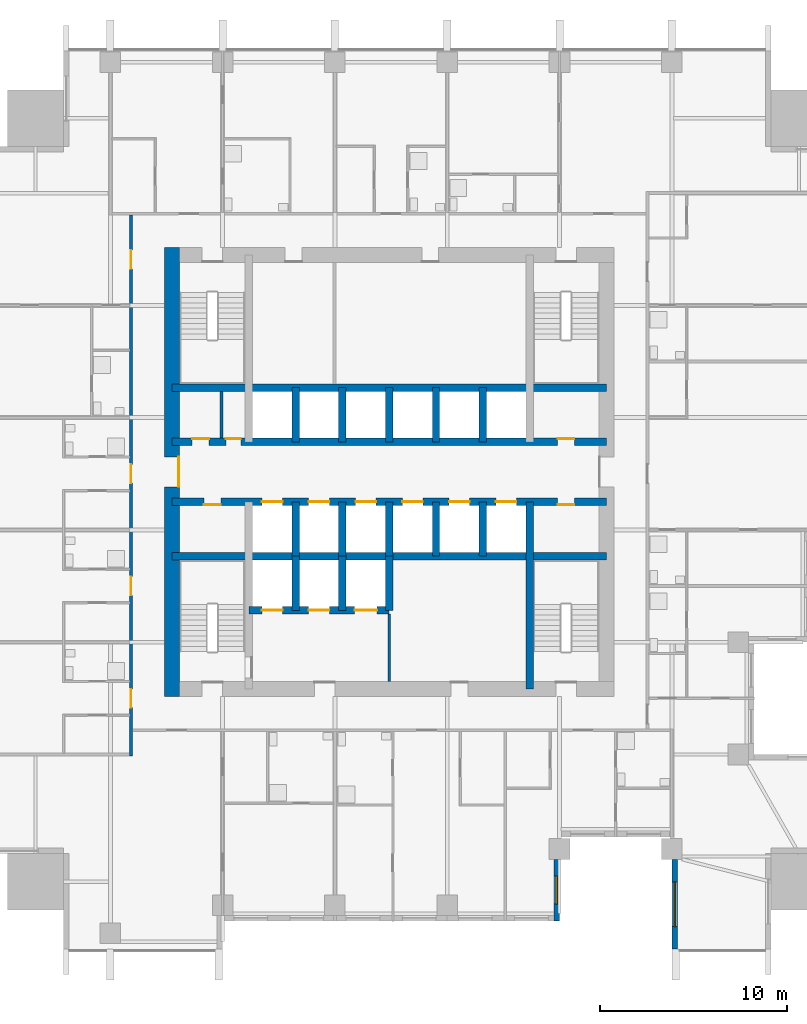
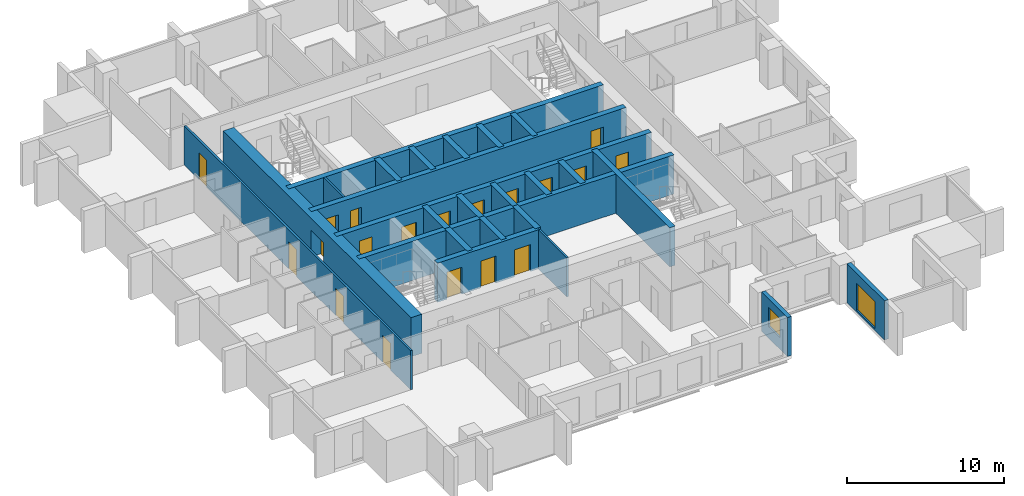
# One storey, part 5 of 10: 25 walls, 19 doors, 2 windows, 21 openings.
"""IFC4 building model written with IfcOpenShell, lengths in metres."""

from ifc_helpers import new_model, si_unit, direction, frame, frame_2d, origin, place, context, subcontext, project, spatial, rectangle, extrude, material, layer, layer_set, type_object, element, fill, save


model = new_model("IFC4")

# Units and contexts
model_context = context("Model", 3, precision=1e-05, world=origin(), true_north=direction((0.0, 1.0)))
body_context = subcontext(model_context, "Body", "Model", "MODEL_VIEW")
ifc_project = project(units=[si_unit("LENGTHUNIT", "METRE"), si_unit("AREAUNIT", "SQUARE_METRE"), si_unit("VOLUMEUNIT", "CUBIC_METRE"), si_unit("PLANEANGLEUNIT", "RADIAN"), si_unit("MASSUNIT", "GRAM", prefix="KILO")], contexts=[model_context])

# Site, building, storey
site_placement = place(None, origin())
site = spatial("IfcSite", under=ifc_project, at=site_placement, CompositionType="ELEMENT")
building_placement = place(site_placement, origin())
building = spatial("IfcBuilding", under=site, at=building_placement, Name="Amberfall Residences", CompositionType="ELEMENT")
storey_placement = place(building_placement, frame((0.0, 0.0, 101.800048828125)))
storey = spatial("IfcBuildingStorey", under=building, at=storey_placement, Name="L27", CompositionType="ELEMENT", Elevation=101.800048828125)

# Wall, opening, window
ifc_material_1 = material(Name="Pale stone cladding on insulated backing", Category="masonry")
ifc_layer_1 = layer(ifc_material_1, 0.300048828125)
ifc_layer_set_1 = layer_set([ifc_layer_1], Name="Bronze clad wall 300")
wall_type_1 = type_object("IfcWallType", Name="Bronze clad wall 300", PredefinedType="SOLIDWALL", material=ifc_layer_set_1)
wall_1_placement = place(storey_placement, frame((83.449951171875, 21.5, 0.0), z_axis=(0.0, 0.0, 1.0), x_axis=(0.0, 1.0, 0.0)))
wall_1 = element("IfcWall", 1, at=wall_1_placement, inside=storey, type_object=wall_type_1, Name="External wall L27 S", PredefinedType="SOLIDWALL", context=body_context, shape_type="SweptSolid", body=[
    extrude(rectangle(XDim=3.300048828125, YDim=0.300048828125, at=frame_2d((1.64990234375, 0.0))), origin(), (0.0, 0.0, 1.0), 3.050048828125),
])
opening_1_placement = place(wall_1_placement, frame((0.89990234375, 0.0, 0.89990234375)))
opening_1 = element("IfcOpeningElement", 2, at=opening_1_placement, cuts=wall_1, Name="Opening WN1", PredefinedType="OPENING", context=body_context, shape_type="SweptSolid", body=[
    extrude(rectangle(XDim=1.5, YDim=1.5, at=frame_2d((0.75, 0.75))), frame((0.0, 0.159912109375, 0.0), z_axis=(0.0, -1.0, 0.0), x_axis=(1.0, 0.0, 0.0)), (0.0, 0.0, 1.0), 0.320068359375),
])
ifc_material_2 = material(Name="Bronze aluminium framed glazing", Category="aluminium")
window_type_1 = type_object("IfcWindowType", Name="Window 1500 x 1500 bronze", PartitioningType="DOUBLE_PANEL_VERTICAL", PredefinedType="WINDOW", material=ifc_material_2)
window_1_placement = place(opening_1_placement, origin())
window_1 = element("IfcWindow", 3, at=window_1_placement, inside=storey, type_object=window_type_1, Name="Window L27 S", OverallHeight=1.5, OverallWidth=1.5, PartitioningType="DOUBLE_PANEL_VERTICAL", PredefinedType="WINDOW", context=body_context, shape_type="SweptSolid", body=[
    extrude(rectangle(XDim=1.5, YDim=1.5, at=frame_2d((0.75, 0.75))), frame((0.0, 0.030029296875, 0.0), z_axis=(0.0, -1.0, 0.0), x_axis=(1.0, 0.0, 0.0)), (0.0, 0.0, 1.0), 0.06005859375),
])
fill(opening_1, window_1)

wall_2_placement = place(storey_placement, frame((89.75, 24.800048828125, 0.0), z_axis=(0.0, 0.0, 1.0), x_axis=(0.0, -1.0, 0.0)))
wall_2 = element("IfcWall", 4, at=wall_2_placement, inside=storey, type_object=wall_type_1, Name="External wall L27 S", PredefinedType="SOLIDWALL", context=body_context, shape_type="SweptSolid", body=[
    extrude(rectangle(XDim=4.800048828125, YDim=0.300048828125, at=frame_2d((2.39990234375, 0.0))), origin(), (0.0, 0.0, 1.0), 3.050048828125),
])
opening_2_placement = place(wall_2_placement, frame((1.199951171875, 0.0, 0.14990234375)))
opening_2 = element("IfcOpeningElement", 5, at=opening_2_placement, cuts=wall_2, Name="Opening WN5", PredefinedType="OPENING", context=body_context, shape_type="SweptSolid", body=[
    extrude(rectangle(XDim=2.39990234375, YDim=2.10009765625, at=frame_2d((1.199951171875, 1.050048828125))), frame((0.0, 0.159912109375, 0.0), z_axis=(0.0, -1.0, 0.0), x_axis=(1.0, 0.0, 0.0)), (0.0, 0.0, 1.0), 0.320068359375),
])
window_type_2 = type_object("IfcWindowType", Name="Glazed opening 2400 x 2100 bronze", PartitioningType="DOUBLE_PANEL_VERTICAL", PredefinedType="WINDOW", material=ifc_material_2)
window_2_placement = place(opening_2_placement, origin())
window_2 = element("IfcWindow", 6, at=window_2_placement, inside=storey, type_object=window_type_2, Name="Window L27 S", OverallHeight=2.10009765625, OverallWidth=2.39990234375, PartitioningType="DOUBLE_PANEL_VERTICAL", PredefinedType="WINDOW", context=body_context, shape_type="SweptSolid", body=[
    extrude(rectangle(XDim=2.39990234375, YDim=2.10009765625, at=frame_2d((1.199951171875, 1.050048828125))), frame((0.0, 0.030029296875, 0.0), z_axis=(0.0, -1.0, 0.0), x_axis=(1.0, 0.0, 0.0)), (0.0, 0.0, 1.0), 0.06005859375),
])
fill(opening_2, window_2)

# Wall
ifc_material_3 = material(Name="Concrete C70", Category="concrete")
ifc_layer_2 = layer(ifc_material_3, 0.39990234375)
ifc_layer_set_2 = layer_set([ifc_layer_2], Name="Core wall 400 C70")
wall_type_2 = type_object("IfcWallType", Name="Core wall 400 C70", PredefinedType="SHEAR", material=ifc_layer_set_2)
wall_3_placement = place(storey_placement, frame((62.89990234375, 41.0, 0.0), z_axis=(0.0, 0.0, 1.0), x_axis=(1.0, 0.0, 0.0)))
element("IfcWall", 7, at=wall_3_placement, inside=storey, type_object=wall_type_2, Name="Core wall RW4 L27 H75", PredefinedType="SHEAR", context=body_context, shape_type="SweptSolid", body=[
    extrude(rectangle(XDim=23.2001953125, YDim=0.39990234375, at=frame_2d((11.60009765625, 0.0))), origin(), (0.0, 0.0, 1.0), 3.050048828125),
])

# Wall, openings, doors
wall_4_placement = place(storey_placement, frame((62.89990234375, 43.89990234375, 0.0), z_axis=(0.0, 0.0, 1.0), x_axis=(1.0, 0.0, 0.0)))
wall_4 = element("IfcWall", 8, at=wall_4_placement, inside=storey, type_object=wall_type_2, Name="Core wall RW4 L27 H104", PredefinedType="SHEAR", context=body_context, shape_type="SweptSolid", body=[
    extrude(rectangle(XDim=23.2001953125, YDim=0.39990234375, at=frame_2d((11.60009765625, 0.0))), origin(), (0.0, 0.0, 1.0), 3.050048828125),
])
opening_3_placement = place(wall_4_placement, frame((1.699951171875, 0.0, 0.0)))
opening_3 = element("IfcOpeningElement", 9, at=opening_3_placement, cuts=wall_4, Name="Opening RD1", PredefinedType="OPENING", context=body_context, shape_type="SweptSolid", body=[
    extrude(rectangle(XDim=0.89990234375, YDim=2.10009765625, at=frame_2d((0.449951171875, 1.050048828125))), frame((0.0, 0.2099609375, 0.0), z_axis=(0.0, -1.0, 0.0), x_axis=(1.0, 0.0, 0.0)), (0.0, 0.0, 1.0), 0.419921875),
])
opening_4_placement = place(wall_4_placement, frame((20.60009765625, 0.0, 0.0)))
opening_4 = element("IfcOpeningElement", 10, at=opening_4_placement, cuts=wall_4, Name="Opening RD1", PredefinedType="OPENING", context=body_context, shape_type="SweptSolid", body=[
    extrude(rectangle(XDim=0.89990234375, YDim=2.10009765625, at=frame_2d((0.449951171875, 1.050048828125))), frame((0.0, 0.2099609375, 0.0), z_axis=(0.0, -1.0, 0.0), x_axis=(1.0, 0.0, 0.0)), (0.0, 0.0, 1.0), 0.419921875),
])
opening_5_placement = place(wall_4_placement, frame((4.800048828125, 0.0, 0.0)))
opening_5 = element("IfcOpeningElement", 11, at=opening_5_placement, cuts=wall_4, Name="Opening LD1", PredefinedType="OPENING", context=body_context, shape_type="SweptSolid", body=[
    extrude(rectangle(XDim=1.10009765625, YDim=2.10009765625, at=frame_2d((0.550048828125, 1.050048828125))), frame((0.0, 0.2099609375, 0.0), z_axis=(0.0, -1.0, 0.0), x_axis=(1.0, 0.0, 0.0)), (0.0, 0.0, 1.0), 0.419921875),
])
opening_6_placement = place(wall_4_placement, frame((7.300048828125, 0.0, 0.0)))
opening_6 = element("IfcOpeningElement", 12, at=opening_6_placement, cuts=wall_4, Name="Opening LD1", PredefinedType="OPENING", context=body_context, shape_type="SweptSolid", body=[
    extrude(rectangle(XDim=1.10009765625, YDim=2.10009765625, at=frame_2d((0.550048828125, 1.050048828125))), frame((0.0, 0.2099609375, 0.0), z_axis=(0.0, -1.0, 0.0), x_axis=(1.0, 0.0, 0.0)), (0.0, 0.0, 1.0), 0.419921875),
])
opening_7_placement = place(wall_4_placement, frame((9.800048828125, 0.0, 0.0)))
opening_7 = element("IfcOpeningElement", 13, at=opening_7_placement, cuts=wall_4, Name="Opening LD1", PredefinedType="OPENING", context=body_context, shape_type="SweptSolid", body=[
    extrude(rectangle(XDim=1.10009765625, YDim=2.10009765625, at=frame_2d((0.550048828125, 1.050048828125))), frame((0.0, 0.2099609375, 0.0), z_axis=(0.0, -1.0, 0.0), x_axis=(1.0, 0.0, 0.0)), (0.0, 0.0, 1.0), 0.419921875),
])
opening_8_placement = place(wall_4_placement, frame((12.300048828125, 0.0, 0.0)))
opening_8 = element("IfcOpeningElement", 14, at=opening_8_placement, cuts=wall_4, Name="Opening LD1", PredefinedType="OPENING", context=body_context, shape_type="SweptSolid", body=[
    extrude(rectangle(XDim=1.10009765625, YDim=2.10009765625, at=frame_2d((0.550048828125, 1.050048828125))), frame((0.0, 0.2099609375, 0.0), z_axis=(0.0, -1.0, 0.0), x_axis=(1.0, 0.0, 0.0)), (0.0, 0.0, 1.0), 0.419921875),
])
opening_9_placement = place(wall_4_placement, frame((14.800048828125, 0.0, 0.0)))
opening_9 = element("IfcOpeningElement", 15, at=opening_9_placement, cuts=wall_4, Name="Opening LD1", PredefinedType="OPENING", context=body_context, shape_type="SweptSolid", body=[
    extrude(rectangle(XDim=1.10009765625, YDim=2.10009765625, at=frame_2d((0.550048828125, 1.050048828125))), frame((0.0, 0.2099609375, 0.0), z_axis=(0.0, -1.0, 0.0), x_axis=(1.0, 0.0, 0.0)), (0.0, 0.0, 1.0), 0.419921875),
])
opening_10_placement = place(wall_4_placement, frame((17.300048828125, 0.0, 0.0)))
opening_10 = element("IfcOpeningElement", 16, at=opening_10_placement, cuts=wall_4, Name="Opening LD1", PredefinedType="OPENING", context=body_context, shape_type="SweptSolid", body=[
    extrude(rectangle(XDim=1.10009765625, YDim=2.10009765625, at=frame_2d((0.550048828125, 1.050048828125))), frame((0.0, 0.2099609375, 0.0), z_axis=(0.0, -1.0, 0.0), x_axis=(1.0, 0.0, 0.0)), (0.0, 0.0, 1.0), 0.419921875),
])
ifc_material_4 = material(Name="Steel fire door set", Category="steel")
door_type_1 = type_object("IfcDoorType", Name="Lift landing door 1100 x 2100", OperationType="DOUBLE_DOOR_SLIDING", PredefinedType="DOOR", material=ifc_material_4)
door_1_placement = place(opening_5_placement, origin())
door_1 = element("IfcDoor", 17, at=door_1_placement, inside=storey, type_object=door_type_1, Name="Landing door LP1 L27", OperationType="DOUBLE_DOOR_SLIDING", OverallHeight=2.10009765625, OverallWidth=1.10009765625, PredefinedType="DOOR", context=body_context, shape_type="SweptSolid", body=[
    extrude(rectangle(XDim=1.10009765625, YDim=2.10009765625, at=frame_2d((0.550048828125, 1.050048828125))), frame((0.0, 0.02490234375, 0.0), z_axis=(0.0, -1.0, 0.0), x_axis=(1.0, 0.0, 0.0)), (0.0, 0.0, 1.0), 0.050048828125),
])
fill(opening_5, door_1)
door_2_placement = place(opening_6_placement, origin())
door_2 = element("IfcDoor", 18, at=door_2_placement, inside=storey, type_object=door_type_1, Name="Landing door LP2 L27", OperationType="DOUBLE_DOOR_SLIDING", OverallHeight=2.10009765625, OverallWidth=1.10009765625, PredefinedType="DOOR", context=body_context, shape_type="SweptSolid", body=[
    extrude(rectangle(XDim=1.10009765625, YDim=2.10009765625, at=frame_2d((0.550048828125, 1.050048828125))), frame((0.0, 0.02490234375, 0.0), z_axis=(0.0, -1.0, 0.0), x_axis=(1.0, 0.0, 0.0)), (0.0, 0.0, 1.0), 0.050048828125),
])
fill(opening_6, door_2)
door_3_placement = place(opening_7_placement, origin())
door_3 = element("IfcDoor", 19, at=door_3_placement, inside=storey, type_object=door_type_1, Name="Landing door LP3 L27", OperationType="DOUBLE_DOOR_SLIDING", OverallHeight=2.10009765625, OverallWidth=1.10009765625, PredefinedType="DOOR", context=body_context, shape_type="SweptSolid", body=[
    extrude(rectangle(XDim=1.10009765625, YDim=2.10009765625, at=frame_2d((0.550048828125, 1.050048828125))), frame((0.0, 0.02490234375, 0.0), z_axis=(0.0, -1.0, 0.0), x_axis=(1.0, 0.0, 0.0)), (0.0, 0.0, 1.0), 0.050048828125),
])
fill(opening_7, door_3)
door_4_placement = place(opening_8_placement, origin())
door_4 = element("IfcDoor", 20, at=door_4_placement, inside=storey, type_object=door_type_1, Name="Landing door LP4 L27", OperationType="DOUBLE_DOOR_SLIDING", OverallHeight=2.10009765625, OverallWidth=1.10009765625, PredefinedType="DOOR", context=body_context, shape_type="SweptSolid", body=[
    extrude(rectangle(XDim=1.10009765625, YDim=2.10009765625, at=frame_2d((0.550048828125, 1.050048828125))), frame((0.0, 0.02490234375, 0.0), z_axis=(0.0, -1.0, 0.0), x_axis=(1.0, 0.0, 0.0)), (0.0, 0.0, 1.0), 0.050048828125),
])
fill(opening_8, door_4)
door_5_placement = place(opening_9_placement, origin())
door_5 = element("IfcDoor", 21, at=door_5_placement, inside=storey, type_object=door_type_1, Name="Landing door LP5 L27", OperationType="DOUBLE_DOOR_SLIDING", OverallHeight=2.10009765625, OverallWidth=1.10009765625, PredefinedType="DOOR", context=body_context, shape_type="SweptSolid", body=[
    extrude(rectangle(XDim=1.10009765625, YDim=2.10009765625, at=frame_2d((0.550048828125, 1.050048828125))), frame((0.0, 0.02490234375, 0.0), z_axis=(0.0, -1.0, 0.0), x_axis=(1.0, 0.0, 0.0)), (0.0, 0.0, 1.0), 0.050048828125),
])
fill(opening_9, door_5)
door_6_placement = place(opening_10_placement, origin())
door_6 = element("IfcDoor", 22, at=door_6_placement, inside=storey, type_object=door_type_1, Name="Landing door LP6 L27", OperationType="DOUBLE_DOOR_SLIDING", OverallHeight=2.10009765625, OverallWidth=1.10009765625, PredefinedType="DOOR", context=body_context, shape_type="SweptSolid", body=[
    extrude(rectangle(XDim=1.10009765625, YDim=2.10009765625, at=frame_2d((0.550048828125, 1.050048828125))), frame((0.0, 0.02490234375, 0.0), z_axis=(0.0, -1.0, 0.0), x_axis=(1.0, 0.0, 0.0)), (0.0, 0.0, 1.0), 0.050048828125),
])
fill(opening_10, door_6)
door_type_2 = type_object("IfcDoorType", Name="Service room door 900 x 2100", OperationType="SINGLE_SWING_LEFT", PredefinedType="DOOR", material=ifc_material_4)
door_7_placement = place(opening_3_placement, origin())
door_7 = element("IfcDoor", 23, at=door_7_placement, inside=storey, type_object=door_type_2, Name="RD1 L27", OperationType="SINGLE_SWING_LEFT", OverallHeight=2.10009765625, OverallWidth=0.89990234375, PredefinedType="DOOR", context=body_context, shape_type="SweptSolid", body=[
    extrude(rectangle(XDim=0.89990234375, YDim=2.10009765625, at=frame_2d((0.449951171875, 1.050048828125))), frame((0.0, -0.1376953125, 0.0), z_axis=(0.0, -1.0, 0.0), x_axis=(1.0, 0.0, 0.0)), (0.0, 0.0, 1.0), 0.050048828125),
])
fill(opening_3, door_7)
door_8_placement = place(opening_4_placement, origin())
door_8 = element("IfcDoor", 24, at=door_8_placement, inside=storey, type_object=door_type_2, Name="RD1 L27", OperationType="SINGLE_SWING_LEFT", OverallHeight=2.10009765625, OverallWidth=0.89990234375, PredefinedType="DOOR", context=body_context, shape_type="SweptSolid", body=[
    extrude(rectangle(XDim=0.89990234375, YDim=2.10009765625, at=frame_2d((0.449951171875, 1.050048828125))), frame((0.0, -0.1376953125, 0.0), z_axis=(0.0, -1.0, 0.0), x_axis=(1.0, 0.0, 0.0)), (0.0, 0.0, 1.0), 0.050048828125),
])
fill(opening_4, door_8)

wall_5_placement = place(storey_placement, frame((62.89990234375, 47.10009765625, 0.0), z_axis=(0.0, 0.0, 1.0), x_axis=(1.0, 0.0, 0.0)))
wall_5 = element("IfcWall", 25, at=wall_5_placement, inside=storey, type_object=wall_type_2, Name="Core wall RW4 L27 H136", PredefinedType="SHEAR", context=body_context, shape_type="SweptSolid", body=[
    extrude(rectangle(XDim=23.2001953125, YDim=0.39990234375, at=frame_2d((11.60009765625, 0.0))), origin(), (0.0, 0.0, 1.0), 3.050048828125),
])
opening_11_placement = place(wall_5_placement, frame((1.070068359375, 0.0, 0.0)))
opening_11 = element("IfcOpeningElement", 26, at=opening_11_placement, cuts=wall_5, Name="Opening RD1", PredefinedType="OPENING", context=body_context, shape_type="SweptSolid", body=[
    extrude(rectangle(XDim=0.89990234375, YDim=2.10009765625, at=frame_2d((0.449951171875, 1.050048828125))), frame((0.0, 0.2099609375, 0.0), z_axis=(0.0, -1.0, 0.0), x_axis=(1.0, 0.0, 0.0)), (0.0, 0.0, 1.0), 0.419921875),
])
opening_12_placement = place(wall_5_placement, frame((2.8701171875, 0.0, 0.0)))
opening_12 = element("IfcOpeningElement", 27, at=opening_12_placement, cuts=wall_5, Name="Opening RD2", PredefinedType="OPENING", context=body_context, shape_type="SweptSolid", body=[
    extrude(rectangle(XDim=0.800048828125, YDim=2.10009765625, at=frame_2d((0.39990234375, 1.050048828125))), frame((0.0, 0.2099609375, 0.0), z_axis=(0.0, -1.0, 0.0), x_axis=(1.0, 0.0, 0.0)), (0.0, 0.0, 1.0), 0.419921875),
])
opening_13_placement = place(wall_5_placement, frame((20.60009765625, 0.0, 0.0)))
opening_13 = element("IfcOpeningElement", 28, at=opening_13_placement, cuts=wall_5, Name="Opening RD1", PredefinedType="OPENING", context=body_context, shape_type="SweptSolid", body=[
    extrude(rectangle(XDim=0.89990234375, YDim=2.10009765625, at=frame_2d((0.449951171875, 1.050048828125))), frame((0.0, 0.2099609375, 0.0), z_axis=(0.0, -1.0, 0.0), x_axis=(1.0, 0.0, 0.0)), (0.0, 0.0, 1.0), 0.419921875),
])
door_type_3 = type_object("IfcDoorType", Name="Service room door 800 x 2100", OperationType="SINGLE_SWING_LEFT", PredefinedType="DOOR", material=ifc_material_4)
door_9_placement = place(opening_12_placement, origin())
door_9 = element("IfcDoor", 29, at=door_9_placement, inside=storey, type_object=door_type_3, Name="RD2 L27", OperationType="SINGLE_SWING_RIGHT", OverallHeight=2.10009765625, OverallWidth=0.800048828125, PredefinedType="DOOR", context=body_context, shape_type="SweptSolid", body=[
    extrude(rectangle(XDim=0.800048828125, YDim=2.10009765625, at=frame_2d((0.39990234375, 1.050048828125))), frame((0.0, 0.1875, 0.0), z_axis=(0.0, -1.0, 0.0), x_axis=(1.0, 0.0, 0.0)), (0.0, 0.0, 1.0), 0.050048828125),
])
fill(opening_12, door_9)
door_10_placement = place(opening_11_placement, origin())
door_10 = element("IfcDoor", 30, at=door_10_placement, inside=storey, type_object=door_type_2, Name="RD1 L27", OperationType="SINGLE_SWING_LEFT", OverallHeight=2.10009765625, OverallWidth=0.89990234375, PredefinedType="DOOR", context=body_context, shape_type="SweptSolid", body=[
    extrude(rectangle(XDim=0.89990234375, YDim=2.10009765625, at=frame_2d((0.449951171875, 1.050048828125))), frame((0.0, 0.1875, 0.0), z_axis=(0.0, -1.0, 0.0), x_axis=(1.0, 0.0, 0.0)), (0.0, 0.0, 1.0), 0.050048828125),
])
fill(opening_11, door_10)
door_11_placement = place(opening_13_placement, origin())
door_11 = element("IfcDoor", 31, at=door_11_placement, inside=storey, type_object=door_type_2, Name="RD1 L27", OperationType="SINGLE_SWING_LEFT", OverallHeight=2.10009765625, OverallWidth=0.89990234375, PredefinedType="DOOR", context=body_context, shape_type="SweptSolid", body=[
    extrude(rectangle(XDim=0.89990234375, YDim=2.10009765625, at=frame_2d((0.449951171875, 1.050048828125))), frame((0.0, 0.1875, 0.0), z_axis=(0.0, -1.0, 0.0), x_axis=(1.0, 0.0, 0.0)), (0.0, 0.0, 1.0), 0.050048828125),
])
fill(opening_13, door_11)

# Walls
wall_6_placement = place(storey_placement, frame((62.89990234375, 50.0, 0.0), z_axis=(0.0, 0.0, 1.0), x_axis=(1.0, 0.0, 0.0)))
element("IfcWall", 32, at=wall_6_placement, inside=storey, type_object=wall_type_2, Name="Core wall RW4 L27 H165", PredefinedType="SHEAR", context=body_context, shape_type="SweptSolid", body=[
    extrude(rectangle(XDim=23.2001953125, YDim=0.39990234375, at=frame_2d((11.60009765625, 0.0))), origin(), (0.0, 0.0, 1.0), 3.050048828125),
])
wall_7_placement = place(storey_placement, frame((82.0, 33.89990234375, 0.0), z_axis=(0.0, 0.0, 1.0), x_axis=(0.0, 1.0, 0.0)))
element("IfcWall", 33, at=wall_7_placement, inside=storey, type_object=wall_type_2, Name="Core wall RW4 L27 V195S", PredefinedType="SHEAR", context=body_context, shape_type="SweptSolid", body=[
    extrude(rectangle(XDim=10.0, YDim=0.39990234375, at=frame_2d((5.0, 0.0))), origin(), (0.0, 0.0, 1.0), 3.050048828125),
])
for number, where, z_axis, x_axis, name in (
    (34, (69.5, 41.0, 0.0), (0.0, 0.0, 1.0), (0.0, 1.0, 0.0), "Core wall RW4 L27 LPD1"),
    (35, (69.5, 47.10009765625, 0.0), (0.0, 0.0, 1.0), (0.0, 1.0, 0.0), "Core wall RW4 L27 HPD1"),
    (36, (72.0, 41.0, 0.0), (0.0, 0.0, 1.0), (0.0, 1.0, 0.0), "Core wall RW4 L27 LPD2"),
    (37, (72.0, 47.10009765625, 0.0), (0.0, 0.0, 1.0), (0.0, 1.0, 0.0), "Core wall RW4 L27 HPD2"),
    (38, (74.5, 41.0, 0.0), (0.0, 0.0, 1.0), (0.0, 1.0, 0.0), "Core wall RW4 L27 LPD3"),
    (39, (74.5, 47.10009765625, 0.0), (0.0, 0.0, 1.0), (0.0, 1.0, 0.0), "Core wall RW4 L27 HPD3"),
    (40, (77.0, 41.0, 0.0), (0.0, 0.0, 1.0), (0.0, 1.0, 0.0), "Core wall RW4 L27 LPD4"),
    (41, (77.0, 47.10009765625, 0.0), (0.0, 0.0, 1.0), (0.0, 1.0, 0.0), "Core wall RW4 L27 HPD4"),
    (42, (79.5, 41.0, 0.0), (0.0, 0.0, 1.0), (0.0, 1.0, 0.0), "Core wall RW4 L27 LPD5"),
    (43, (79.5, 47.10009765625, 0.0), (0.0, 0.0, 1.0), (0.0, 1.0, 0.0), "Core wall RW4 L27 HPD5"),
):
    element("IfcWall", number, at=place(storey_placement, frame(where, z_axis=z_axis, x_axis=x_axis)), inside=storey, type_object=wall_type_2, Name=name, PredefinedType="SHEAR", context=body_context, shape_type="SweptSolid", body=[
        extrude(rectangle(XDim=2.89990234375, YDim=0.39990234375, at=frame_2d((1.449951171875, 0.0))), origin(), (0.0, 0.0, 1.0), 3.050048828125),
    ])

# Wall, openings, doors
wall_8_placement = place(storey_placement, frame((67.0, 38.10009765625, 0.0), z_axis=(0.0, 0.0, 1.0), x_axis=(1.0, 0.0, 0.0)))
wall_8 = element("IfcWall", 44, at=wall_8_placement, inside=storey, type_object=wall_type_2, Name="Core wall RW4 L27 FFF", PredefinedType="SHEAR", context=body_context, shape_type="SweptSolid", body=[
    extrude(rectangle(XDim=7.5, YDim=0.39990234375, at=frame_2d((3.75, 0.0))), origin(), (0.0, 0.0, 1.0), 3.050048828125),
])
opening_14_placement = place(wall_8_placement, frame((0.699951171875, 0.0, 0.0)))
opening_14 = element("IfcOpeningElement", 45, at=opening_14_placement, cuts=wall_8, Name="Opening LD2", PredefinedType="OPENING", context=body_context, shape_type="SweptSolid", body=[
    extrude(rectangle(XDim=1.10009765625, YDim=2.10009765625, at=frame_2d((0.550048828125, 1.050048828125))), frame((0.0, 0.2099609375, 0.0), z_axis=(0.0, -1.0, 0.0), x_axis=(1.0, 0.0, 0.0)), (0.0, 0.0, 1.0), 0.419921875),
])
opening_15_placement = place(wall_8_placement, frame((3.199951171875, 0.0, 0.0)))
opening_15 = element("IfcOpeningElement", 46, at=opening_15_placement, cuts=wall_8, Name="Opening LD2", PredefinedType="OPENING", context=body_context, shape_type="SweptSolid", body=[
    extrude(rectangle(XDim=1.10009765625, YDim=2.10009765625, at=frame_2d((0.550048828125, 1.050048828125))), frame((0.0, 0.2099609375, 0.0), z_axis=(0.0, -1.0, 0.0), x_axis=(1.0, 0.0, 0.0)), (0.0, 0.0, 1.0), 0.419921875),
])
opening_16_placement = place(wall_8_placement, frame((5.64990234375, 0.0, 0.0)))
opening_16 = element("IfcOpeningElement", 47, at=opening_16_placement, cuts=wall_8, Name="Opening LD3", PredefinedType="OPENING", context=body_context, shape_type="SweptSolid", body=[
    extrude(rectangle(XDim=1.199951171875, YDim=2.10009765625, at=frame_2d((0.60009765625, 1.050048828125))), frame((0.0, 0.2099609375, 0.0), z_axis=(0.0, -1.0, 0.0), x_axis=(1.0, 0.0, 0.0)), (0.0, 0.0, 1.0), 0.419921875),
])
door_type_4 = type_object("IfcDoorType", Name="Firefighting lift landing door 1100 x 2100", OperationType="DOUBLE_DOOR_SLIDING", PredefinedType="DOOR", material=ifc_material_4)
door_12_placement = place(opening_14_placement, origin())
door_12 = element("IfcDoor", 48, at=door_12_placement, inside=storey, type_object=door_type_4, Name="Landing door FF1 L27", OperationType="DOUBLE_DOOR_SLIDING", OverallHeight=2.10009765625, OverallWidth=1.10009765625, PredefinedType="DOOR", context=body_context, shape_type="SweptSolid", body=[
    extrude(rectangle(XDim=1.10009765625, YDim=2.10009765625, at=frame_2d((0.550048828125, 1.050048828125))), frame((0.0, 0.02490234375, 0.0), z_axis=(0.0, -1.0, 0.0), x_axis=(1.0, 0.0, 0.0)), (0.0, 0.0, 1.0), 0.050048828125),
])
fill(opening_14, door_12)
door_13_placement = place(opening_15_placement, origin())
door_13 = element("IfcDoor", 49, at=door_13_placement, inside=storey, type_object=door_type_4, Name="Landing door FF2 L27", OperationType="DOUBLE_DOOR_SLIDING", OverallHeight=2.10009765625, OverallWidth=1.10009765625, PredefinedType="DOOR", context=body_context, shape_type="SweptSolid", body=[
    extrude(rectangle(XDim=1.10009765625, YDim=2.10009765625, at=frame_2d((0.550048828125, 1.050048828125))), frame((0.0, 0.02490234375, 0.0), z_axis=(0.0, -1.0, 0.0), x_axis=(1.0, 0.0, 0.0)), (0.0, 0.0, 1.0), 0.050048828125),
])
fill(opening_15, door_13)
door_type_5 = type_object("IfcDoorType", Name="Service lift landing door 1200 x 2100", OperationType="DOUBLE_DOOR_SLIDING", PredefinedType="DOOR", material=ifc_material_4)
door_14_placement = place(opening_16_placement, origin())
door_14 = element("IfcDoor", 50, at=door_14_placement, inside=storey, type_object=door_type_5, Name="Landing door SL1 L27", OperationType="DOUBLE_DOOR_SLIDING", OverallHeight=2.10009765625, OverallWidth=1.199951171875, PredefinedType="DOOR", context=body_context, shape_type="SweptSolid", body=[
    extrude(rectangle(XDim=1.199951171875, YDim=2.10009765625, at=frame_2d((0.60009765625, 1.050048828125))), frame((0.0, 0.02490234375, 0.0), z_axis=(0.0, -1.0, 0.0), x_axis=(1.0, 0.0, 0.0)), (0.0, 0.0, 1.0), 0.050048828125),
])
fill(opening_16, door_14)

# Walls
for number, where, z_axis, x_axis, name in (
    (51, (69.5, 38.10009765625, 0.0), (0.0, 0.0, 1.0), (0.0, 1.0, 0.0), "Core wall RW4 L27 FFD1"),
    (52, (72.0, 38.10009765625, 0.0), (0.0, 0.0, 1.0), (0.0, 1.0, 0.0), "Core wall RW4 L27 FFD2"),
    (53, (74.5, 38.10009765625, 0.0), (0.0, 0.0, 1.0), (0.0, 1.0, 0.0), "Core wall RW4 L27 FFD3"),
):
    element("IfcWall", number, at=place(storey_placement, frame(where, z_axis=z_axis, x_axis=x_axis)), inside=storey, type_object=wall_type_2, Name=name, PredefinedType="SHEAR", context=body_context, shape_type="SweptSolid", body=[
        extrude(rectangle(XDim=2.89990234375, YDim=0.39990234375, at=frame_2d((1.449951171875, 0.0))), origin(), (0.0, 0.0, 1.0), 3.050048828125),
    ])

# Wall, opening, door
ifc_layer_3 = layer(ifc_material_3, 0.800048828125)
ifc_layer_set_3 = layer_set([ifc_layer_3], Name="Core wall 800 C70")
wall_type_3 = type_object("IfcWallType", Name="Core wall 800 C70", PredefinedType="SHEAR", material=ifc_layer_set_3)
wall_9_placement = place(storey_placement, frame((62.89990234375, 33.5, 0.0), z_axis=(0.0, 0.0, 1.0), x_axis=(0.0, 1.0, 0.0)))
wall_9 = element("IfcWall", 54, at=wall_9_placement, inside=storey, type_object=wall_type_3, Name="Core wall RW3 L27 OW", PredefinedType="SHEAR", context=body_context, shape_type="SweptSolid", body=[
    extrude(rectangle(XDim=24.0, YDim=0.800048828125, at=frame_2d((12.0, 0.0))), origin(), (0.0, 0.0, 1.0), 3.050048828125),
])
opening_17_placement = place(wall_9_placement, frame((11.199951171875, 0.0, 0.0)))
opening_17 = element("IfcOpeningElement", 55, at=opening_17_placement, cuts=wall_9, Name="Opening LB1", PredefinedType="OPENING", context=body_context, shape_type="SweptSolid", body=[
    extrude(rectangle(XDim=1.60009765625, YDim=2.10009765625, at=frame_2d((0.800048828125, 1.050048828125))), frame((0.0, 0.409912109375, 0.0), z_axis=(0.0, -1.0, 0.0), x_axis=(1.0, 0.0, 0.0)), (0.0, 0.0, 1.0), 0.820068359375),
])
door_type_6 = type_object("IfcDoorType", Name="Lift lobby double door 1600 x 2100", OperationType="DOUBLE_DOOR_SINGLE_SWING", PredefinedType="DOOR", material=ifc_material_4)
door_15_placement = place(opening_17_placement, origin())
door_15 = element("IfcDoor", 56, at=door_15_placement, inside=storey, type_object=door_type_6, Name="LB1 L27", OperationType="DOUBLE_DOOR_SINGLE_SWING", OverallHeight=2.10009765625, OverallWidth=1.60009765625, PredefinedType="DOOR", context=body_context, shape_type="SweptSolid", body=[
    extrude(rectangle(XDim=1.60009765625, YDim=2.10009765625, at=frame_2d((0.800048828125, 1.050048828125))), frame((0.0, -0.33740234375, 0.0), z_axis=(0.0, -1.0, 0.0), x_axis=(1.0, 0.0, 0.0)), (0.0, 0.0, 1.0), 0.050048828125),
])
fill(opening_17, door_15)

# Wall, openings, doors
ifc_material_5 = material(Name="Blockwork, plastered", Category="masonry")
ifc_layer_4 = layer(ifc_material_5, 0.14990234375)
ifc_layer_set_4 = layer_set([ifc_layer_4], Name="Flat separating wall 150")
wall_type_4 = type_object("IfcWallType", Name="Flat separating wall 150", PredefinedType="PARTITIONING", material=ifc_layer_set_4)
wall_10_placement = place(storey_placement, frame((60.699951171875, 30.324951171875, 0.0), z_axis=(0.0, 0.0, 1.0), x_axis=(0.0, 1.0, 0.0)))
wall_10 = element("IfcWall", 57, at=wall_10_placement, inside=storey, type_object=wall_type_4, Name="Separating wall 047", PredefinedType="PARTITIONING", context=body_context, shape_type="SweptSolid", body=[
    extrude(rectangle(XDim=28.900146484375, YDim=0.14990234375, at=frame_2d((14.4501953125, 0.0))), origin(), (0.0, 0.0, 1.0), 3.050048828125),
])
opening_18_placement = place(wall_10_placement, frame((2.574951171875, 0.0, 0.0)))
opening_18 = element("IfcOpeningElement", 58, at=opening_18_placement, cuts=wall_10, Name="Opening D40", PredefinedType="OPENING", context=body_context, shape_type="SweptSolid", body=[
    extrude(rectangle(XDim=1.0, YDim=2.10009765625, at=frame_2d((0.5, 1.050048828125))), frame((0.0, 0.0849609375, 0.0), z_axis=(0.0, -1.0, 0.0), x_axis=(1.0, 0.0, 0.0)), (0.0, 0.0, 1.0), 0.169921875),
])
opening_19_placement = place(wall_10_placement, frame((8.574951171875, 0.0, 0.0)))
opening_19 = element("IfcOpeningElement", 59, at=opening_19_placement, cuts=wall_10, Name="Opening D40", PredefinedType="OPENING", context=body_context, shape_type="SweptSolid", body=[
    extrude(rectangle(XDim=1.0, YDim=2.10009765625, at=frame_2d((0.5, 1.050048828125))), frame((0.0, 0.0849609375, 0.0), z_axis=(0.0, -1.0, 0.0), x_axis=(1.0, 0.0, 0.0)), (0.0, 0.0, 1.0), 0.169921875),
])
opening_20_placement = place(wall_10_placement, frame((14.574951171875, 0.0, 0.0)))
opening_20 = element("IfcOpeningElement", 60, at=opening_20_placement, cuts=wall_10, Name="Opening D40", PredefinedType="OPENING", context=body_context, shape_type="SweptSolid", body=[
    extrude(rectangle(XDim=1.0, YDim=2.10009765625, at=frame_2d((0.5, 1.050048828125))), frame((0.0, 0.0849609375, 0.0), z_axis=(0.0, -1.0, 0.0), x_axis=(1.0, 0.0, 0.0)), (0.0, 0.0, 1.0), 0.169921875),
])
opening_21_placement = place(wall_10_placement, frame((26.02490234375, 0.0, 0.0)))
opening_21 = element("IfcOpeningElement", 61, at=opening_21_placement, cuts=wall_10, Name="Opening D40", PredefinedType="OPENING", context=body_context, shape_type="SweptSolid", body=[
    extrude(rectangle(XDim=1.0, YDim=2.10009765625, at=frame_2d((0.5, 1.050048828125))), frame((0.0, 0.0849609375, 0.0), z_axis=(0.0, -1.0, 0.0), x_axis=(1.0, 0.0, 0.0)), (0.0, 0.0, 1.0), 0.169921875),
])
ifc_material_6 = material(Name="Timber, fire-rated", Category="wood")
door_type_7 = type_object("IfcDoorType", Name="Flat entrance door FD60 1000 x 2100", OperationType="SINGLE_SWING_LEFT", PredefinedType="DOOR", material=ifc_material_6)
door_16_placement = place(opening_18_placement, origin())
door_16 = element("IfcDoor", 62, at=door_16_placement, inside=storey, type_object=door_type_7, Name="Door 2710 entrance", OperationType="SINGLE_SWING_LEFT", OverallHeight=2.10009765625, OverallWidth=1.0, PredefinedType="DOOR", context=body_context, shape_type="SweptSolid", body=[
    extrude(rectangle(XDim=1.0, YDim=2.10009765625, at=frame_2d((0.5, 1.050048828125))), frame((0.0, 0.02490234375, 0.0), z_axis=(0.0, -1.0, 0.0), x_axis=(1.0, 0.0, 0.0)), (0.0, 0.0, 1.0), 0.050048828125),
])
fill(opening_18, door_16)
door_17_placement = place(opening_19_placement, origin())
door_17 = element("IfcDoor", 63, at=door_17_placement, inside=storey, type_object=door_type_7, Name="Door 2711 entrance", OperationType="SINGLE_SWING_LEFT", OverallHeight=2.10009765625, OverallWidth=1.0, PredefinedType="DOOR", context=body_context, shape_type="SweptSolid", body=[
    extrude(rectangle(XDim=1.0, YDim=2.10009765625, at=frame_2d((0.5, 1.050048828125))), frame((0.0, 0.02490234375, 0.0), z_axis=(0.0, -1.0, 0.0), x_axis=(1.0, 0.0, 0.0)), (0.0, 0.0, 1.0), 0.050048828125),
])
fill(opening_19, door_17)
door_18_placement = place(opening_20_placement, origin())
door_18 = element("IfcDoor", 64, at=door_18_placement, inside=storey, type_object=door_type_7, Name="Door 2712 entrance", OperationType="SINGLE_SWING_LEFT", OverallHeight=2.10009765625, OverallWidth=1.0, PredefinedType="DOOR", context=body_context, shape_type="SweptSolid", body=[
    extrude(rectangle(XDim=1.0, YDim=2.10009765625, at=frame_2d((0.5, 1.050048828125))), frame((0.0, 0.02490234375, 0.0), z_axis=(0.0, -1.0, 0.0), x_axis=(1.0, 0.0, 0.0)), (0.0, 0.0, 1.0), 0.050048828125),
])
fill(opening_20, door_18)
door_19_placement = place(opening_21_placement, origin())
door_19 = element("IfcDoor", 65, at=door_19_placement, inside=storey, type_object=door_type_7, Name="Door 2713 entrance", OperationType="SINGLE_SWING_LEFT", OverallHeight=2.10009765625, OverallWidth=1.0, PredefinedType="DOOR", context=body_context, shape_type="SweptSolid", body=[
    extrude(rectangle(XDim=1.0, YDim=2.10009765625, at=frame_2d((0.5, 1.050048828125))), frame((0.0, 0.02490234375, 0.0), z_axis=(0.0, -1.0, 0.0), x_axis=(1.0, 0.0, 0.0)), (0.0, 0.0, 1.0), 0.050048828125),
])
fill(opening_21, door_19)

# Walls
ifc_material_7 = material(Name="Concrete blockwork", Category="masonry")
ifc_layer_5 = layer(ifc_material_7, 0.14990234375)
ifc_layer_set_5 = layer_set([ifc_layer_5], Name="Riser wall 150")
wall_type_5 = type_object("IfcWallType", Name="Riser wall 150", PredefinedType="PLUMBINGWALL", material=ifc_layer_set_5)
wall_11_placement = place(storey_placement, frame((74.5, 34.300048828125, 0.0), z_axis=(0.0, 0.0, 1.0), x_axis=(0.0, 1.0, 0.0)))
element("IfcWall", 66, at=wall_11_placement, inside=storey, type_object=wall_type_5, Name="L27 core wall PX", PredefinedType="PLUMBINGWALL", context=body_context, shape_type="SweptSolid", body=[
    extrude(rectangle(XDim=3.599853515625, YDim=0.14990234375, at=frame_2d((1.7998046875, 0.0))), origin(), (0.0, 0.0, 1.0), 3.050048828125),
])
wall_12_placement = place(storey_placement, frame((65.5400390625, 47.300048828125, 0.0), z_axis=(0.0, 0.0, 1.0), x_axis=(0.0, 1.0, 0.0)))
element("IfcWall", 67, at=wall_12_placement, inside=storey, type_object=wall_type_5, Name="L27 core wall ANW0", PredefinedType="PLUMBINGWALL", context=body_context, shape_type="SweptSolid", body=[
    extrude(rectangle(XDim=2.5, YDim=0.14990234375, at=frame_2d((1.25, 0.0))), origin(), (0.0, 0.0, 1.0), 3.050048828125),
])

save(model, "model.ifc")
